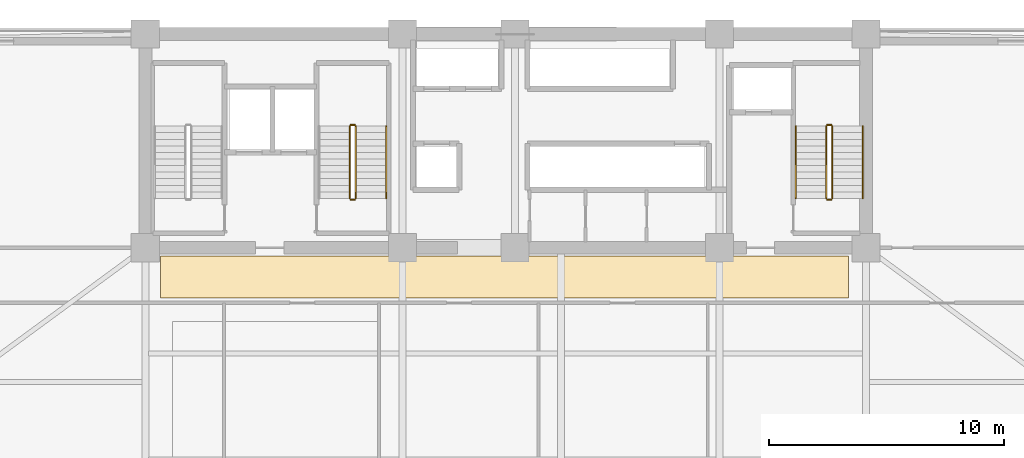
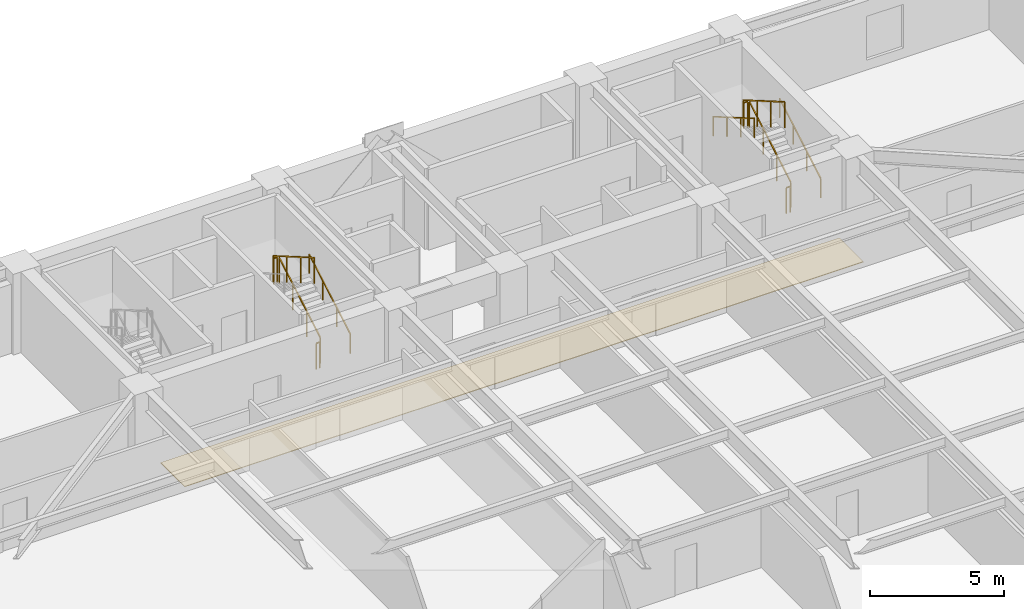
# One storey, part 15 of 16: 11 railings, 1 covering.
"""IFC4 building model written with IfcOpenShell, lengths in metres."""

from ifc_helpers import new_model, si_unit, direction, frame, origin, origin_2d, place, context, subcontext, project, spatial, polyline, rectangle, outline, extrude, material, layer, layer_set, type_object, element, save


model = new_model("IFC4")

# Units and contexts
model_context = context("Model", 3, precision=1e-05, world=origin(), true_north=direction((0.0, 1.0)))
body_context = subcontext(model_context, "Body", "Model", "MODEL_VIEW")
ifc_project = project(units=[si_unit("LENGTHUNIT", "METRE"), si_unit("AREAUNIT", "SQUARE_METRE"), si_unit("VOLUMEUNIT", "CUBIC_METRE"), si_unit("PLANEANGLEUNIT", "RADIAN"), si_unit("MASSUNIT", "GRAM", prefix="KILO")], contexts=[model_context])

# Site, building, storey
site_placement = place(None, origin())
site = spatial("IfcSite", under=ifc_project, at=site_placement, CompositionType="ELEMENT")
building_placement = place(site_placement, origin())
building = spatial("IfcBuilding", under=site, at=building_placement, Name="Giltprow Tower", CompositionType="ELEMENT")
storey_placement = place(building_placement, frame((0.0, 0.0, 83.5)))
storey = spatial("IfcBuildingStorey", under=building, at=storey_placement, Name="L20", CompositionType="ELEMENT", Elevation=83.5)

# Covering
ifc_material_1 = material(Name="Honed granite", Category="masonry")
ifc_layer = layer(ifc_material_1, 0.030029296875, Name="Honed granite")
ifc_layer_set = layer_set([ifc_layer], Name="Honed granite")
covering_type = type_object("IfcCoveringType", Name="COV-FLR-STONE", PredefinedType="FLOORING", material=ifc_layer_set)
covering_placement = place(storey_placement, origin())
element("IfcCovering", 1, at=covering_placement, inside=storey, type_object=covering_type, Name="L20 Office Corridor Stone Flooring", PredefinedType="FLOORING", context=body_context, shape_type="SweptSolid", body=[
    extrude(outline(polyline([(20.5, 35.300048828125), (49.800048828125, 35.300048828125), (49.800048828125, 37.10009765625), (20.5, 37.10009765625), (20.5, 35.300048828125)])), origin(), (0.0, 0.0, 1.0), 0.030029296875),
])

# Railings
ifc_material_2 = material(Name="Anodized bronze", Category="metal")
railing_type_1 = type_object("IfcRailingType", Name="RAIL-STAIR-GUARD-1200", PredefinedType="GUARDRAIL", material=ifc_material_2)
railing_1_placement = place(storey_placement, frame((28.81005859375, 39.550048828125, 0.16259765625)))
element("IfcRailing", 2, at=railing_1_placement, inside=storey, type_object=railing_type_1, Name="L20 ST-2 stair guard 1", PredefinedType="GUARDRAIL", context=body_context, shape_type="SweptSolid", body=[
    extrude(rectangle(XDim=0.048095703125, YDim=0.048095703125, at=origin_2d()), frame((0.0, 0.0, 1.17578125), z_axis=(0.0, 0.864903211148, 0.501938676878), x_axis=(-1.0, 0.0, 0.0)), (0.0, 0.0, 1.0), 3.560791015625),
    extrude(rectangle(XDim=0.0419921875, YDim=0.0419921875, at=origin_2d()), origin(), (0.0, 0.0, 1.0), 1.15185546875),
    extrude(rectangle(XDim=0.0419921875, YDim=0.0419921875, at=origin_2d()), frame((0.0, 1.026611328125, 0.595703125)), (0.0, 0.0, 1.0), 1.15185546875),
    extrude(rectangle(XDim=0.0419921875, YDim=0.0419921875, at=origin_2d()), frame((0.0, 2.05322265625, 1.191650390625)), (0.0, 0.0, 1.0), 1.15185546875),
    extrude(rectangle(XDim=0.0419921875, YDim=0.0419921875, at=origin_2d()), frame((0.0, 3.079833984375, 1.787353515625)), (0.0, 0.0, 1.0), 1.15185546875),
])
railing_2_placement = place(storey_placement, frame((28.760009765625, 42.679931640625, 1.949951171875)))
element("IfcRailing", 3, at=railing_2_placement, inside=storey, type_object=railing_type_1, Name="L20 ST-2 stair guard 2", PredefinedType="GUARDRAIL", context=body_context, shape_type="SweptSolid", body=[
    extrude(rectangle(XDim=0.048095703125, YDim=0.048095703125, at=origin_2d()), frame((0.0, 0.0, 1.17578125), z_axis=(-1.0, 0.0, 0.0), x_axis=(0.0, -1.0, 0.0)), (0.0, 0.0, 1.0), 0.159912109375),
    extrude(rectangle(XDim=0.0419921875, YDim=0.0419921875, at=origin_2d()), origin(), (0.0, 0.0, 1.0), 1.15185546875),
    extrude(rectangle(XDim=0.0419921875, YDim=0.0419921875, at=origin_2d()), frame((-0.159912109375, 0.0, 0.0)), (0.0, 0.0, 1.0), 1.15185546875),
])
railing_3_placement = place(storey_placement, frame((28.550048828125, 42.6298828125, 2.112548828125)))
element("IfcRailing", 4, at=railing_3_placement, inside=storey, type_object=railing_type_1, Name="L20 ST-2 stair guard 3", PredefinedType="GUARDRAIL", context=body_context, shape_type="SweptSolid", body=[
    extrude(rectangle(XDim=0.048095703125, YDim=0.048095703125, at=origin_2d()), frame((0.0, 0.0, 1.17578125), z_axis=(0.0, -0.864903211148, 0.501938676878), x_axis=(1.0, 0.0, 0.0)), (0.0, 0.0, 1.0), 3.560791015625),
    extrude(rectangle(XDim=0.0419921875, YDim=0.0419921875, at=origin_2d()), origin(), (0.0, 0.0, 1.0), 1.15185546875),
    extrude(rectangle(XDim=0.0419921875, YDim=0.0419921875, at=origin_2d()), frame((0.0, -1.026611328125, 0.595703125)), (0.0, 0.0, 1.0), 1.15185546875),
    extrude(rectangle(XDim=0.0419921875, YDim=0.0419921875, at=origin_2d()), frame((0.0, -2.05322265625, 1.191650390625)), (0.0, 0.0, 1.0), 1.15185546875),
    extrude(rectangle(XDim=0.0419921875, YDim=0.0419921875, at=origin_2d()), frame((0.0, -3.079833984375, 1.787353515625)), (0.0, 0.0, 1.0), 1.15185546875),
])
railing_4_placement = place(storey_placement, frame((28.760009765625, 39.5, 0.0)))
element("IfcRailing", 5, at=railing_4_placement, inside=storey, type_object=railing_type_1, Name="L20 ST-2 stair guard 4", PredefinedType="GUARDRAIL", context=body_context, shape_type="SweptSolid", body=[
    extrude(rectangle(XDim=0.048095703125, YDim=0.048095703125, at=origin_2d()), frame((0.0, 0.0, 1.17578125), z_axis=(-1.0, 0.0, 0.0), x_axis=(0.0, -1.0, 0.0)), (0.0, 0.0, 1.0), 0.159912109375),
    extrude(rectangle(XDim=0.0419921875, YDim=0.0419921875, at=origin_2d()), origin(), (0.0, 0.0, 1.0), 1.15185546875),
    extrude(rectangle(XDim=0.0419921875, YDim=0.0419921875, at=origin_2d()), frame((-0.159912109375, 0.0, 0.0)), (0.0, 0.0, 1.0), 1.15185546875),
])
railing_5_placement = place(storey_placement, frame((49.110107421875, 39.550048828125, 0.16259765625)))
element("IfcRailing", 6, at=railing_5_placement, inside=storey, type_object=railing_type_1, Name="L20 ST-3 stair guard 1", PredefinedType="GUARDRAIL", context=body_context, shape_type="SweptSolid", body=[
    extrude(rectangle(XDim=0.048095703125, YDim=0.048095703125, at=origin_2d()), frame((0.0, 0.0, 1.17578125), z_axis=(0.0, 0.864903211148, 0.501938676878), x_axis=(-1.0, 0.0, 0.0)), (0.0, 0.0, 1.0), 3.560791015625),
    extrude(rectangle(XDim=0.0419921875, YDim=0.0419921875, at=origin_2d()), origin(), (0.0, 0.0, 1.0), 1.15185546875),
    extrude(rectangle(XDim=0.0419921875, YDim=0.0419921875, at=origin_2d()), frame((0.0, 1.026611328125, 0.595703125)), (0.0, 0.0, 1.0), 1.15185546875),
    extrude(rectangle(XDim=0.0419921875, YDim=0.0419921875, at=origin_2d()), frame((0.0, 2.05322265625, 1.191650390625)), (0.0, 0.0, 1.0), 1.15185546875),
    extrude(rectangle(XDim=0.0419921875, YDim=0.0419921875, at=origin_2d()), frame((0.0, 3.079833984375, 1.787353515625)), (0.0, 0.0, 1.0), 1.15185546875),
])
railing_6_placement = place(storey_placement, frame((49.06005859375, 42.679931640625, 1.949951171875)))
element("IfcRailing", 7, at=railing_6_placement, inside=storey, type_object=railing_type_1, Name="L20 ST-3 stair guard 2", PredefinedType="GUARDRAIL", context=body_context, shape_type="SweptSolid", body=[
    extrude(rectangle(XDim=0.048095703125, YDim=0.048095703125, at=origin_2d()), frame((0.0, 0.0, 1.17578125), z_axis=(-1.0, 0.0, 0.0), x_axis=(0.0, -1.0, 0.0)), (0.0, 0.0, 1.0), 0.16015625),
    extrude(rectangle(XDim=0.0419921875, YDim=0.0419921875, at=origin_2d()), origin(), (0.0, 0.0, 1.0), 1.15185546875),
    extrude(rectangle(XDim=0.0419921875, YDim=0.0419921875, at=origin_2d()), frame((-0.16015625, 0.0, 0.0)), (0.0, 0.0, 1.0), 1.15185546875),
])
railing_7_placement = place(storey_placement, frame((48.85009765625, 42.6298828125, 2.112548828125)))
element("IfcRailing", 8, at=railing_7_placement, inside=storey, type_object=railing_type_1, Name="L20 ST-3 stair guard 3", PredefinedType="GUARDRAIL", context=body_context, shape_type="SweptSolid", body=[
    extrude(rectangle(XDim=0.048095703125, YDim=0.048095703125, at=origin_2d()), frame((0.0, 0.0, 1.17578125), z_axis=(0.0, -0.864903211148, 0.501938676878), x_axis=(1.0, 0.0, 0.0)), (0.0, 0.0, 1.0), 3.560791015625),
    extrude(rectangle(XDim=0.0419921875, YDim=0.0419921875, at=origin_2d()), origin(), (0.0, 0.0, 1.0), 1.15185546875),
    extrude(rectangle(XDim=0.0419921875, YDim=0.0419921875, at=origin_2d()), frame((0.0, -1.026611328125, 0.595703125)), (0.0, 0.0, 1.0), 1.15185546875),
    extrude(rectangle(XDim=0.0419921875, YDim=0.0419921875, at=origin_2d()), frame((0.0, -2.05322265625, 1.191650390625)), (0.0, 0.0, 1.0), 1.15185546875),
    extrude(rectangle(XDim=0.0419921875, YDim=0.0419921875, at=origin_2d()), frame((0.0, -3.079833984375, 1.787353515625)), (0.0, 0.0, 1.0), 1.15185546875),
])
railing_8_placement = place(storey_placement, frame((49.06005859375, 39.5, 0.0)))
element("IfcRailing", 9, at=railing_8_placement, inside=storey, type_object=railing_type_1, Name="L20 ST-3 stair guard 4", PredefinedType="GUARDRAIL", context=body_context, shape_type="SweptSolid", body=[
    extrude(rectangle(XDim=0.048095703125, YDim=0.048095703125, at=origin_2d()), frame((0.0, 0.0, 1.17578125), z_axis=(-1.0, 0.0, 0.0), x_axis=(0.0, -1.0, 0.0)), (0.0, 0.0, 1.0), 0.16015625),
    extrude(rectangle(XDim=0.0419921875, YDim=0.0419921875, at=origin_2d()), origin(), (0.0, 0.0, 1.0), 1.15185546875),
    extrude(rectangle(XDim=0.0419921875, YDim=0.0419921875, at=origin_2d()), frame((-0.16015625, 0.0, 0.0)), (0.0, 0.0, 1.0), 1.15185546875),
])
railing_type_2 = type_object("IfcRailingType", Name="RAIL-STAIR-HAND-900", PredefinedType="HANDRAIL", material=ifc_material_2)
for number, where, name in (
    (10, (30.110107421875, 39.550048828125, 0.16259765625), "L20 ST-2 stair handrail 1"),
    (11, (50.409912109375, 39.550048828125, 0.16259765625), "L20 ST-3 stair handrail 1"),
):
    element("IfcRailing", number, at=place(storey_placement, frame(where)), inside=storey, type_object=railing_type_2, Name=name, PredefinedType="HANDRAIL", context=body_context, shape_type="SweptSolid", body=[
        extrude(rectangle(XDim=0.048095703125, YDim=0.048095703125, at=origin_2d()), frame((0.0, 0.0, 0.8759765625), z_axis=(0.0, 0.864903211148, 0.501938676878), x_axis=(-1.0, 0.0, 0.0)), (0.0, 0.0, 1.0), 3.560791015625),
        extrude(rectangle(XDim=0.0419921875, YDim=0.0419921875, at=origin_2d()), origin(), (0.0, 0.0, 1.0), 0.851806640625),
        extrude(rectangle(XDim=0.0419921875, YDim=0.0419921875, at=origin_2d()), frame((0.0, 1.026611328125, 0.595703125)), (0.0, 0.0, 1.0), 0.851806640625),
        extrude(rectangle(XDim=0.0419921875, YDim=0.0419921875, at=origin_2d()), frame((0.0, 2.05322265625, 1.191650390625)), (0.0, 0.0, 1.0), 0.851806640625),
        extrude(rectangle(XDim=0.0419921875, YDim=0.0419921875, at=origin_2d()), frame((0.0, 3.079833984375, 1.787353515625)), (0.0, 0.0, 1.0), 0.851806640625),
    ])
railing_9_placement = place(storey_placement, frame((47.550048828125, 42.6298828125, 2.112548828125)))
element("IfcRailing", 12, at=railing_9_placement, inside=storey, type_object=railing_type_2, Name="L20 ST-3 stair handrail 2", PredefinedType="HANDRAIL", context=body_context, shape_type="SweptSolid", body=[
    extrude(rectangle(XDim=0.048095703125, YDim=0.048095703125, at=origin_2d()), frame((0.0, 0.0, 0.8759765625), z_axis=(0.0, -0.864903211148, 0.501938676878), x_axis=(1.0, 0.0, 0.0)), (0.0, 0.0, 1.0), 3.560791015625),
    extrude(rectangle(XDim=0.0419921875, YDim=0.0419921875, at=origin_2d()), origin(), (0.0, 0.0, 1.0), 0.851806640625),
    extrude(rectangle(XDim=0.0419921875, YDim=0.0419921875, at=origin_2d()), frame((0.0, -1.026611328125, 0.595703125)), (0.0, 0.0, 1.0), 0.851806640625),
    extrude(rectangle(XDim=0.0419921875, YDim=0.0419921875, at=origin_2d()), frame((0.0, -2.05322265625, 1.191650390625)), (0.0, 0.0, 1.0), 0.851806640625),
    extrude(rectangle(XDim=0.0419921875, YDim=0.0419921875, at=origin_2d()), frame((0.0, -3.079833984375, 1.787353515625)), (0.0, 0.0, 1.0), 0.851806640625),
])

save(model, "model.ifc")
